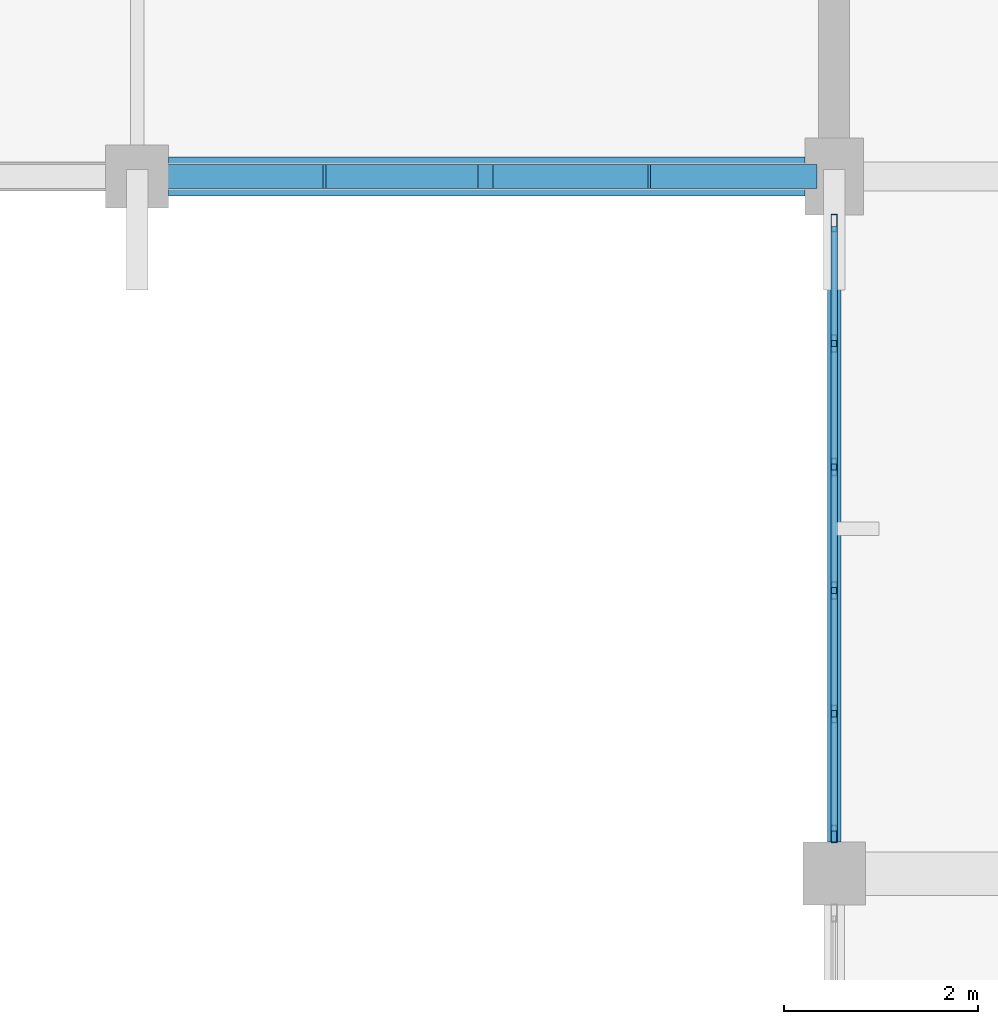
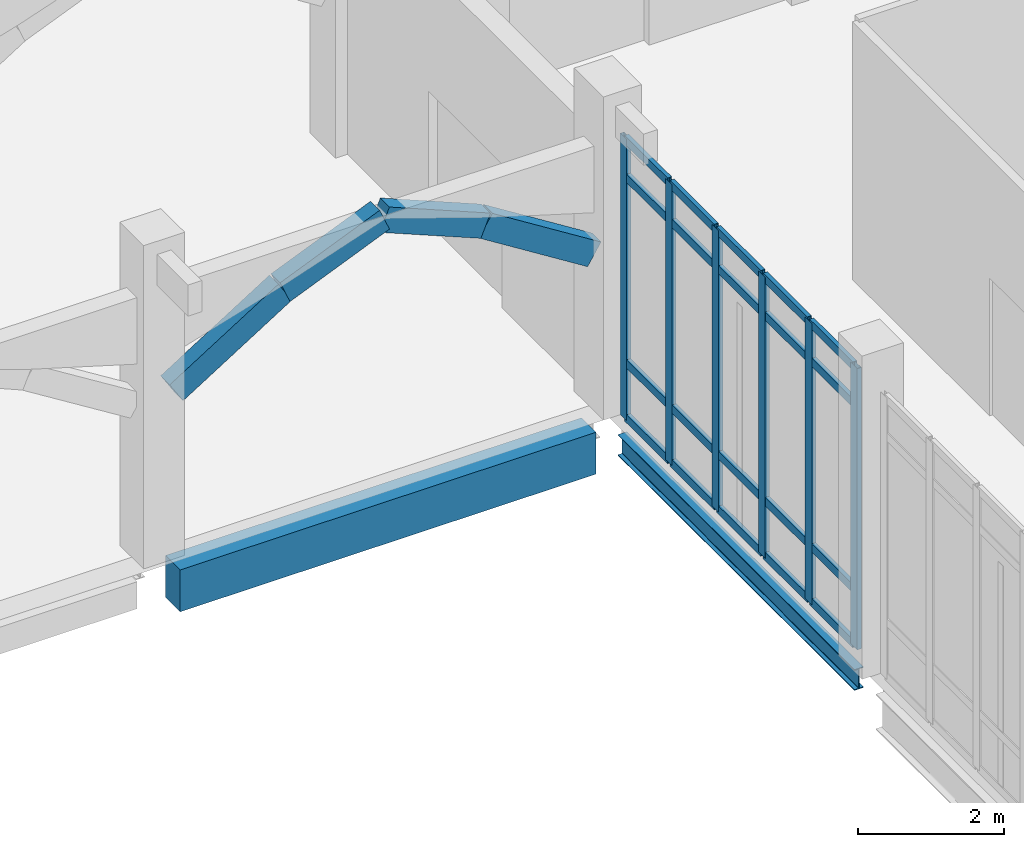
# One storey, part 28 of 110: 30 members, 2 beams, 1 element without a shape of its own.
"""IFC4 building model written with IfcOpenShell, lengths in metres."""

from ifc_helpers import new_model, si_unit, direction, frame, origin, origin_2d, place, context, subcontext, project, spatial, rectangle, hollow_rectangle, i_section, extrude, material, material_profile, profile_set, type_object, element, aggregate, save


model = new_model("IFC4")

# Units and contexts
model_context = context("Model", 3, precision=1e-05, world=origin(), true_north=direction((0.0, 1.0)))
body_context = subcontext(model_context, "Body", "Model", "MODEL_VIEW")
ifc_project = project(units=[si_unit("LENGTHUNIT", "METRE"), si_unit("AREAUNIT", "SQUARE_METRE"), si_unit("VOLUMEUNIT", "CUBIC_METRE"), si_unit("PLANEANGLEUNIT", "RADIAN"), si_unit("MASSUNIT", "GRAM", prefix="KILO")], contexts=[model_context])

# Site, building, storey
site_placement = place(None, origin())
site = spatial("IfcSite", under=ifc_project, at=site_placement, CompositionType="ELEMENT")
building_placement = place(site_placement, origin())
building = spatial("IfcBuilding", under=site, at=building_placement, Name="Kalluvel Institute of Natural Sciences", CompositionType="ELEMENT")
storey_placement = place(building_placement, origin())
storey = spatial("IfcBuildingStorey", under=building, at=storey_placement, Name="L00", CompositionType="ELEMENT", Elevation=0.0)

# Beam
ifc_material_1 = material(Name="Steel E350 Grade 350", Category="steel")
ifc_material_profile_1 = material_profile(ifc_material_1, i_section(OverallWidth=0.139892578125, OverallDepth=0.35009765625, WebThickness=0.008056640625, FlangeThickness=0.01416015625, FilletRadius=0.013916015625, at=origin_2d()), Name="ISMB 350")
ifc_profile_set_1 = profile_set([ifc_material_profile_1], Name="Steel E350 Grade 350")
beam_type_1 = type_object("IfcBeamType", Name="BM-ISMB350", PredefinedType="BEAM", material=ifc_profile_set_1)
beam_1_placement = place(storey_placement, frame((100.39990234375, 21.52490234375, -0.4951171875), z_axis=(0.0, 1.0, 0.0), x_axis=(-1.0, 0.0, 0.0)))
element("IfcBeam", 1, at=beam_1_placement, inside=storey, type_object=beam_type_1, Name="L00 girder GIR-L00-NS-X1004-Y212", PredefinedType="BEAM", context=body_context, shape_type="SweptSolid", body=[
    extrude(i_section(OverallWidth=0.139892578125, OverallDepth=0.35009765625, WebThickness=0.008056640625, FlangeThickness=0.01416015625, FilletRadius=0.013916015625, at=origin_2d()), origin(), (0.0, 0.0, 1.0), 6.47509765625),
])

# Curtain wall, members
ifc_material_2 = material(Name="Aluminium AW-6063 T6", Category="aluminium")
curtain_wall_type = type_object("IfcCurtainWallType", Name="CW-SPAV-45", PredefinedType="USERDEFINED", material=ifc_material_2)
curtain_wall_placement = place(storey_placement, origin())
curtain_wall = element("IfcCurtainWall", 2, at=curtain_wall_placement, inside=storey, type_object=curtain_wall_type, Name="L00 Gothic lancet curtain wall CWA-L00-X1004-Y216", ObjectType="UNITISED LANCET FACADE", PredefinedType="USERDEFINED")
ifc_material_profile_2 = material_profile(ifc_material_2, hollow_rectangle(XDim=0.06494140625, YDim=0.179931640625, WallThickness=0.00439453125, at=origin_2d()), Name="CWM 65x180")
ifc_profile_set_2 = profile_set([ifc_material_profile_2], Name="Aluminium AW-6063 T6")
member_type_1 = type_object("IfcMemberType", Name="CWM-65x180", PredefinedType="MULLION", material=ifc_profile_set_2)
member_1_placement = place(storey_placement, frame((100.39990234375, 21.607421875, 0.0), z_axis=(0.0, 0.0, 1.0), x_axis=(-1.0, 0.0, 0.0)))
member_1 = element("IfcMember", 3, at=member_1_placement, type_object=member_type_1, Name="CW-10 mullion 1", PredefinedType="MULLION", context=body_context, shape_type="SweptSolid", body=[
    extrude(hollow_rectangle(XDim=0.06494140625, YDim=0.179931640625, WallThickness=0.00439453125, at=origin_2d()), origin(), (0.0, 0.0, 1.0), 4.699951171875),
])
member_2_placement = place(storey_placement, frame((100.39990234375, 22.85009765625, 0.0), z_axis=(0.0, 0.0, 1.0), x_axis=(-1.0, 0.0, 0.0)))
member_2 = element("IfcMember", 4, at=member_2_placement, type_object=member_type_1, Name="CW-10 mullion 2", PredefinedType="MULLION", context=body_context, shape_type="SweptSolid", body=[
    extrude(hollow_rectangle(XDim=0.06494140625, YDim=0.179931640625, WallThickness=0.00439453125, at=origin_2d()), origin(), (0.0, 0.0, 1.0), 4.699951171875),
])
member_3_placement = place(storey_placement, frame((100.39990234375, 24.125, 0.0), z_axis=(0.0, 0.0, 1.0), x_axis=(-1.0, 0.0, 0.0)))
member_3 = element("IfcMember", 5, at=member_3_placement, type_object=member_type_1, Name="CW-10 mullion 3", PredefinedType="MULLION", context=body_context, shape_type="SweptSolid", body=[
    extrude(hollow_rectangle(XDim=0.06494140625, YDim=0.179931640625, WallThickness=0.00439453125, at=origin_2d()), origin(), (0.0, 0.0, 1.0), 4.699951171875),
])
member_4_placement = place(storey_placement, frame((100.39990234375, 25.39990234375, 0.0), z_axis=(0.0, 0.0, 1.0), x_axis=(-1.0, 0.0, 0.0)))
member_4 = element("IfcMember", 6, at=member_4_placement, type_object=member_type_1, Name="CW-10 mullion 4", PredefinedType="MULLION", context=body_context, shape_type="SweptSolid", body=[
    extrude(hollow_rectangle(XDim=0.06494140625, YDim=0.179931640625, WallThickness=0.00439453125, at=origin_2d()), origin(), (0.0, 0.0, 1.0), 4.699951171875),
])
member_5_placement = place(storey_placement, frame((100.39990234375, 26.675048828125, 0.0), z_axis=(0.0, 0.0, 1.0), x_axis=(-1.0, 0.0, 0.0)))
member_5 = element("IfcMember", 7, at=member_5_placement, type_object=member_type_1, Name="CW-10 mullion 5", PredefinedType="MULLION", context=body_context, shape_type="SweptSolid", body=[
    extrude(hollow_rectangle(XDim=0.06494140625, YDim=0.179931640625, WallThickness=0.00439453125, at=origin_2d()), origin(), (0.0, 0.0, 1.0), 4.699951171875),
])
member_6_placement = place(storey_placement, frame((100.39990234375, 27.91748046875, 0.0), z_axis=(0.0, 0.0, 1.0), x_axis=(-1.0, 0.0, 0.0)))
member_6 = element("IfcMember", 8, at=member_6_placement, type_object=member_type_1, Name="CW-10 mullion 6", PredefinedType="MULLION", context=body_context, shape_type="SweptSolid", body=[
    extrude(hollow_rectangle(XDim=0.06494140625, YDim=0.179931640625, WallThickness=0.00439453125, at=origin_2d()), origin(), (0.0, 0.0, 1.0), 4.699951171875),
])
ifc_material_profile_3 = material_profile(ifc_material_2, hollow_rectangle(XDim=0.06494140625, YDim=0.139892578125, WallThickness=0.00439453125, at=origin_2d()), Name="CWT 65x140")
ifc_profile_set_3 = profile_set([ifc_material_profile_3], Name="Aluminium AW-6063 T6")
member_type_2 = type_object("IfcMemberType", Name="CWT-65x140", PredefinedType="USERDEFINED", material=ifc_profile_set_3)
member_7_placement = place(storey_placement, frame((100.39990234375, 21.639892578125, 0.032470703125), z_axis=(0.0, 1.0, 0.0), x_axis=(-1.0, 0.0, 0.0)))
member_7 = element("IfcMember", 9, at=member_7_placement, type_object=member_type_2, Name="CW-10 transom 1.1", ObjectType="TRANSOM", PredefinedType="USERDEFINED", context=body_context, shape_type="SweptSolid", body=[
    extrude(hollow_rectangle(XDim=0.06494140625, YDim=0.139892578125, WallThickness=0.00439453125, at=origin_2d()), origin(), (0.0, 0.0, 1.0), 1.177490234375),
])
member_8_placement = place(storey_placement, frame((100.39990234375, 21.639892578125, 0.949951171875), z_axis=(0.0, 1.0, 0.0), x_axis=(-1.0, 0.0, 0.0)))
member_8 = element("IfcMember", 10, at=member_8_placement, type_object=member_type_2, Name="CW-10 transom 1.2", ObjectType="TRANSOM", PredefinedType="USERDEFINED", context=body_context, shape_type="SweptSolid", body=[
    extrude(hollow_rectangle(XDim=0.06494140625, YDim=0.139892578125, WallThickness=0.00439453125, at=origin_2d()), origin(), (0.0, 0.0, 1.0), 1.177490234375),
])
member_9_placement = place(storey_placement, frame((100.39990234375, 21.639892578125, 4.050048828125), z_axis=(0.0, 1.0, 0.0), x_axis=(-1.0, 0.0, 0.0)))
member_9 = element("IfcMember", 11, at=member_9_placement, type_object=member_type_2, Name="CW-10 transom 1.3", ObjectType="TRANSOM", PredefinedType="USERDEFINED", context=body_context, shape_type="SweptSolid", body=[
    extrude(hollow_rectangle(XDim=0.06494140625, YDim=0.139892578125, WallThickness=0.00439453125, at=origin_2d()), origin(), (0.0, 0.0, 1.0), 1.177490234375),
])
member_10_placement = place(storey_placement, frame((100.39990234375, 21.639892578125, 4.66748046875), z_axis=(0.0, 1.0, 0.0), x_axis=(-1.0, 0.0, 0.0)))
member_10 = element("IfcMember", 12, at=member_10_placement, type_object=member_type_2, Name="CW-10 transom 1.4", ObjectType="TRANSOM", PredefinedType="USERDEFINED", context=body_context, shape_type="SweptSolid", body=[
    extrude(hollow_rectangle(XDim=0.06494140625, YDim=0.139892578125, WallThickness=0.00439453125, at=origin_2d()), origin(), (0.0, 0.0, 1.0), 1.177490234375),
])
member_11_placement = place(storey_placement, frame((100.39990234375, 22.882568359375, 0.032470703125), z_axis=(0.0, 1.0, 0.0), x_axis=(-1.0, 0.0, 0.0)))
member_11 = element("IfcMember", 13, at=member_11_placement, type_object=member_type_2, Name="CW-10 transom 2.1", ObjectType="TRANSOM", PredefinedType="USERDEFINED", context=body_context, shape_type="SweptSolid", body=[
    extrude(hollow_rectangle(XDim=0.06494140625, YDim=0.139892578125, WallThickness=0.00439453125, at=origin_2d()), origin(), (0.0, 0.0, 1.0), 1.2099609375),
])
member_12_placement = place(storey_placement, frame((100.39990234375, 22.882568359375, 0.949951171875), z_axis=(0.0, 1.0, 0.0), x_axis=(-1.0, 0.0, 0.0)))
member_12 = element("IfcMember", 14, at=member_12_placement, type_object=member_type_2, Name="CW-10 transom 2.2", ObjectType="TRANSOM", PredefinedType="USERDEFINED", context=body_context, shape_type="SweptSolid", body=[
    extrude(hollow_rectangle(XDim=0.06494140625, YDim=0.139892578125, WallThickness=0.00439453125, at=origin_2d()), origin(), (0.0, 0.0, 1.0), 1.2099609375),
])
member_13_placement = place(storey_placement, frame((100.39990234375, 22.882568359375, 4.050048828125), z_axis=(0.0, 1.0, 0.0), x_axis=(-1.0, 0.0, 0.0)))
member_13 = element("IfcMember", 15, at=member_13_placement, type_object=member_type_2, Name="CW-10 transom 2.3", ObjectType="TRANSOM", PredefinedType="USERDEFINED", context=body_context, shape_type="SweptSolid", body=[
    extrude(hollow_rectangle(XDim=0.06494140625, YDim=0.139892578125, WallThickness=0.00439453125, at=origin_2d()), origin(), (0.0, 0.0, 1.0), 1.2099609375),
])
member_14_placement = place(storey_placement, frame((100.39990234375, 22.882568359375, 4.66748046875), z_axis=(0.0, 1.0, 0.0), x_axis=(-1.0, 0.0, 0.0)))
member_14 = element("IfcMember", 16, at=member_14_placement, type_object=member_type_2, Name="CW-10 transom 2.4", ObjectType="TRANSOM", PredefinedType="USERDEFINED", context=body_context, shape_type="SweptSolid", body=[
    extrude(hollow_rectangle(XDim=0.06494140625, YDim=0.139892578125, WallThickness=0.00439453125, at=origin_2d()), origin(), (0.0, 0.0, 1.0), 1.2099609375),
])
member_15_placement = place(storey_placement, frame((100.39990234375, 24.157470703125, 0.032470703125), z_axis=(0.0, 1.0, 0.0), x_axis=(-1.0, 0.0, 0.0)))
member_15 = element("IfcMember", 17, at=member_15_placement, type_object=member_type_2, Name="CW-10 transom 3.1", ObjectType="TRANSOM", PredefinedType="USERDEFINED", context=body_context, shape_type="SweptSolid", body=[
    extrude(hollow_rectangle(XDim=0.06494140625, YDim=0.139892578125, WallThickness=0.00439453125, at=origin_2d()), origin(), (0.0, 0.0, 1.0), 1.2099609375),
])
member_16_placement = place(storey_placement, frame((100.39990234375, 24.157470703125, 0.949951171875), z_axis=(0.0, 1.0, 0.0), x_axis=(-1.0, 0.0, 0.0)))
member_16 = element("IfcMember", 18, at=member_16_placement, type_object=member_type_2, Name="CW-10 transom 3.2", ObjectType="TRANSOM", PredefinedType="USERDEFINED", context=body_context, shape_type="SweptSolid", body=[
    extrude(hollow_rectangle(XDim=0.06494140625, YDim=0.139892578125, WallThickness=0.00439453125, at=origin_2d()), origin(), (0.0, 0.0, 1.0), 1.2099609375),
])
member_17_placement = place(storey_placement, frame((100.39990234375, 24.157470703125, 4.050048828125), z_axis=(0.0, 1.0, 0.0), x_axis=(-1.0, 0.0, 0.0)))
member_17 = element("IfcMember", 19, at=member_17_placement, type_object=member_type_2, Name="CW-10 transom 3.3", ObjectType="TRANSOM", PredefinedType="USERDEFINED", context=body_context, shape_type="SweptSolid", body=[
    extrude(hollow_rectangle(XDim=0.06494140625, YDim=0.139892578125, WallThickness=0.00439453125, at=origin_2d()), origin(), (0.0, 0.0, 1.0), 1.2099609375),
])
member_18_placement = place(storey_placement, frame((100.39990234375, 24.157470703125, 4.66748046875), z_axis=(0.0, 1.0, 0.0), x_axis=(-1.0, 0.0, 0.0)))
member_18 = element("IfcMember", 20, at=member_18_placement, type_object=member_type_2, Name="CW-10 transom 3.4", ObjectType="TRANSOM", PredefinedType="USERDEFINED", context=body_context, shape_type="SweptSolid", body=[
    extrude(hollow_rectangle(XDim=0.06494140625, YDim=0.139892578125, WallThickness=0.00439453125, at=origin_2d()), origin(), (0.0, 0.0, 1.0), 1.2099609375),
])
member_19_placement = place(storey_placement, frame((100.39990234375, 25.4326171875, 0.032470703125), z_axis=(0.0, 1.0, 0.0), x_axis=(-1.0, 0.0, 0.0)))
member_19 = element("IfcMember", 21, at=member_19_placement, type_object=member_type_2, Name="CW-10 transom 4.1", ObjectType="TRANSOM", PredefinedType="USERDEFINED", context=body_context, shape_type="SweptSolid", body=[
    extrude(hollow_rectangle(XDim=0.06494140625, YDim=0.139892578125, WallThickness=0.00439453125, at=origin_2d()), origin(), (0.0, 0.0, 1.0), 1.2099609375),
])
member_20_placement = place(storey_placement, frame((100.39990234375, 25.4326171875, 0.949951171875), z_axis=(0.0, 1.0, 0.0), x_axis=(-1.0, 0.0, 0.0)))
member_20 = element("IfcMember", 22, at=member_20_placement, type_object=member_type_2, Name="CW-10 transom 4.2", ObjectType="TRANSOM", PredefinedType="USERDEFINED", context=body_context, shape_type="SweptSolid", body=[
    extrude(hollow_rectangle(XDim=0.06494140625, YDim=0.139892578125, WallThickness=0.00439453125, at=origin_2d()), origin(), (0.0, 0.0, 1.0), 1.2099609375),
])
member_21_placement = place(storey_placement, frame((100.39990234375, 25.4326171875, 4.050048828125), z_axis=(0.0, 1.0, 0.0), x_axis=(-1.0, 0.0, 0.0)))
member_21 = element("IfcMember", 23, at=member_21_placement, type_object=member_type_2, Name="CW-10 transom 4.3", ObjectType="TRANSOM", PredefinedType="USERDEFINED", context=body_context, shape_type="SweptSolid", body=[
    extrude(hollow_rectangle(XDim=0.06494140625, YDim=0.139892578125, WallThickness=0.00439453125, at=origin_2d()), origin(), (0.0, 0.0, 1.0), 1.2099609375),
])
member_22_placement = place(storey_placement, frame((100.39990234375, 25.4326171875, 4.66748046875), z_axis=(0.0, 1.0, 0.0), x_axis=(-1.0, 0.0, 0.0)))
member_22 = element("IfcMember", 24, at=member_22_placement, type_object=member_type_2, Name="CW-10 transom 4.4", ObjectType="TRANSOM", PredefinedType="USERDEFINED", context=body_context, shape_type="SweptSolid", body=[
    extrude(hollow_rectangle(XDim=0.06494140625, YDim=0.139892578125, WallThickness=0.00439453125, at=origin_2d()), origin(), (0.0, 0.0, 1.0), 1.2099609375),
])
member_23_placement = place(storey_placement, frame((100.39990234375, 26.70751953125, 0.032470703125), z_axis=(0.0, 1.0, 0.0), x_axis=(-1.0, 0.0, 0.0)))
member_23 = element("IfcMember", 25, at=member_23_placement, type_object=member_type_2, Name="CW-10 transom 5.1", ObjectType="TRANSOM", PredefinedType="USERDEFINED", context=body_context, shape_type="SweptSolid", body=[
    extrude(hollow_rectangle(XDim=0.06494140625, YDim=0.139892578125, WallThickness=0.00439453125, at=origin_2d()), origin(), (0.0, 0.0, 1.0), 1.177490234375),
])
member_24_placement = place(storey_placement, frame((100.39990234375, 26.70751953125, 0.949951171875), z_axis=(0.0, 1.0, 0.0), x_axis=(-1.0, 0.0, 0.0)))
member_24 = element("IfcMember", 26, at=member_24_placement, type_object=member_type_2, Name="CW-10 transom 5.2", ObjectType="TRANSOM", PredefinedType="USERDEFINED", context=body_context, shape_type="SweptSolid", body=[
    extrude(hollow_rectangle(XDim=0.06494140625, YDim=0.139892578125, WallThickness=0.00439453125, at=origin_2d()), origin(), (0.0, 0.0, 1.0), 1.177490234375),
])
member_25_placement = place(storey_placement, frame((100.39990234375, 26.70751953125, 4.050048828125), z_axis=(0.0, 1.0, 0.0), x_axis=(-1.0, 0.0, 0.0)))
member_25 = element("IfcMember", 27, at=member_25_placement, type_object=member_type_2, Name="CW-10 transom 5.3", ObjectType="TRANSOM", PredefinedType="USERDEFINED", context=body_context, shape_type="SweptSolid", body=[
    extrude(hollow_rectangle(XDim=0.06494140625, YDim=0.139892578125, WallThickness=0.00439453125, at=origin_2d()), origin(), (0.0, 0.0, 1.0), 1.177490234375),
])
member_26_placement = place(storey_placement, frame((100.39990234375, 26.70751953125, 4.66748046875), z_axis=(0.0, 1.0, 0.0), x_axis=(-1.0, 0.0, 0.0)))
member_26 = element("IfcMember", 28, at=member_26_placement, type_object=member_type_2, Name="CW-10 transom 5.4", ObjectType="TRANSOM", PredefinedType="USERDEFINED", context=body_context, shape_type="SweptSolid", body=[
    extrude(hollow_rectangle(XDim=0.06494140625, YDim=0.139892578125, WallThickness=0.00439453125, at=origin_2d()), origin(), (0.0, 0.0, 1.0), 1.177490234375),
])
aggregate(curtain_wall, [member_1, member_2, member_3, member_4, member_5, member_6, member_7, member_8, member_9, member_10, member_11, member_12, member_13, member_14, member_15, member_16, member_17, member_18, member_19, member_20, member_21, member_22, member_23, member_24, member_25, member_26])

# Members
ifc_material_3 = material(Name="Sadarahalli Granite Precast Concrete M45", Category="masonry")
ifc_material_profile_4 = material_profile(ifc_material_3, rectangle(XDim=0.25, YDim=0.39990234375, at=origin_2d()), Name="RCB 250x400")
ifc_profile_set_4 = profile_set([ifc_material_profile_4], Name="Sadarahalli Granite Precast Concrete M45")
member_type_3 = type_object("IfcMemberType", Name="MB-CL-ARCH250", PredefinedType="USERDEFINED", material=ifc_profile_set_4)
member_27_placement = place(storey_placement, frame((93.510009765625, 28.39990234375, 2.60009765625), z_axis=(0.846548228585, 0.0, 0.532312029433), x_axis=(0.0, 1.0, 0.0)))
element("IfcMember", 29, at=member_27_placement, inside=storey, type_object=member_type_3, Name="Gothic cloister pointed-lancet arch segment 69", ObjectType="ARCH_SEGMENT", PredefinedType="USERDEFINED", context=body_context, shape_type="SweptSolid", body=[
    extrude(rectangle(XDim=0.25, YDim=0.39990234375, at=origin_2d()), origin(), (0.0, 0.0, 1.0), 2.028564453125),
])
member_28_placement = place(storey_placement, frame((95.227294921875, 28.39990234375, 3.679931640625), z_axis=(0.922065890834, 0.0, 0.38703293524), x_axis=(0.0, 1.0, 0.0)))
element("IfcMember", 30, at=member_28_placement, inside=storey, type_object=member_type_3, Name="Gothic cloister pointed-lancet arch segment 70", ObjectType="ARCH_SEGMENT", PredefinedType="USERDEFINED", context=body_context, shape_type="SweptSolid", body=[
    extrude(rectangle(XDim=0.25, YDim=0.39990234375, at=origin_2d()), origin(), (0.0, 0.0, 1.0), 1.70556640625),
])
member_29_placement = place(storey_placement, frame((96.800048828125, 28.39990234375, 4.340087890625), z_axis=(0.924209418804, 0.0, -0.381886043467), x_axis=(0.0, 1.0, 0.0)))
element("IfcMember", 31, at=member_29_placement, inside=storey, type_object=member_type_3, Name="Gothic cloister pointed-lancet arch segment 71", ObjectType="ARCH_SEGMENT", PredefinedType="USERDEFINED", context=body_context, shape_type="SweptSolid", body=[
    extrude(rectangle(XDim=0.25, YDim=0.39990234375, at=origin_2d()), origin(), (0.0, 0.0, 1.0), 1.728759765625),
])
member_30_placement = place(storey_placement, frame((98.397705078125, 28.39990234375, 3.679931640625), z_axis=(0.846548228585, 0.0, -0.532312029433), x_axis=(0.0, 1.0, 0.0)))
element("IfcMember", 32, at=member_30_placement, inside=storey, type_object=member_type_3, Name="Gothic cloister pointed-lancet arch segment 72", ObjectType="ARCH_SEGMENT", PredefinedType="USERDEFINED", context=body_context, shape_type="SweptSolid", body=[
    extrude(rectangle(XDim=0.25, YDim=0.39990234375, at=origin_2d()), origin(), (0.0, 0.0, 1.0), 2.028564453125),
])

# Beam
ifc_material_4 = material(Name="Concrete M40", Category="concrete")
ifc_material_profile_5 = material_profile(ifc_material_4, rectangle(XDim=0.39990234375, YDim=0.699951171875, at=origin_2d()), Name="RCB 400x700")
ifc_profile_set_5 = profile_set([ifc_material_profile_5], Name="Concrete M40")
beam_type_2 = type_object("IfcBeamType", Name="SP-RC400x700", PredefinedType="SPANDREL", material=ifc_profile_set_5)
beam_2_placement = place(storey_placement, frame((93.52490234375, 28.39990234375, -0.669921875), z_axis=(1.0, 0.0, 0.0), x_axis=(0.0, 1.0, 0.0)))
element("IfcBeam", 33, at=beam_2_placement, inside=storey, type_object=beam_type_2, Name="L00 girder GIR-L00-EW-X932-Y284", PredefinedType="SPANDREL", context=body_context, shape_type="SweptSolid", body=[
    extrude(rectangle(XDim=0.39990234375, YDim=0.699951171875, at=origin_2d()), origin(), (0.0, 0.0, 1.0), 6.5751953125),
])

save(model, "model.ifc")
